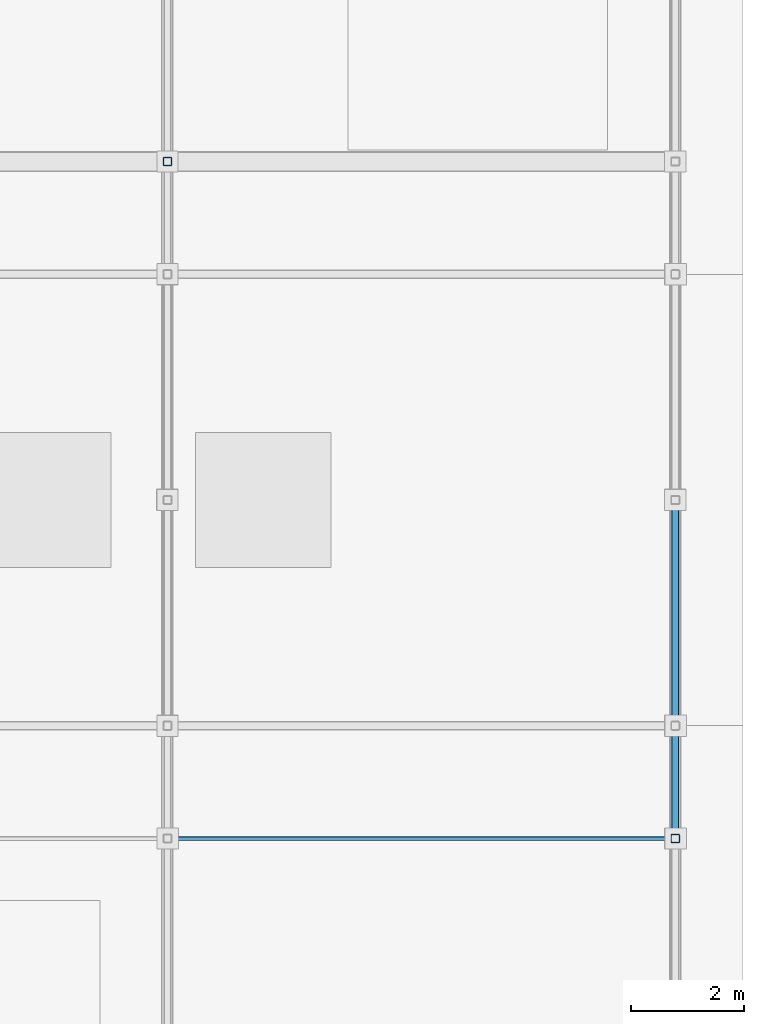
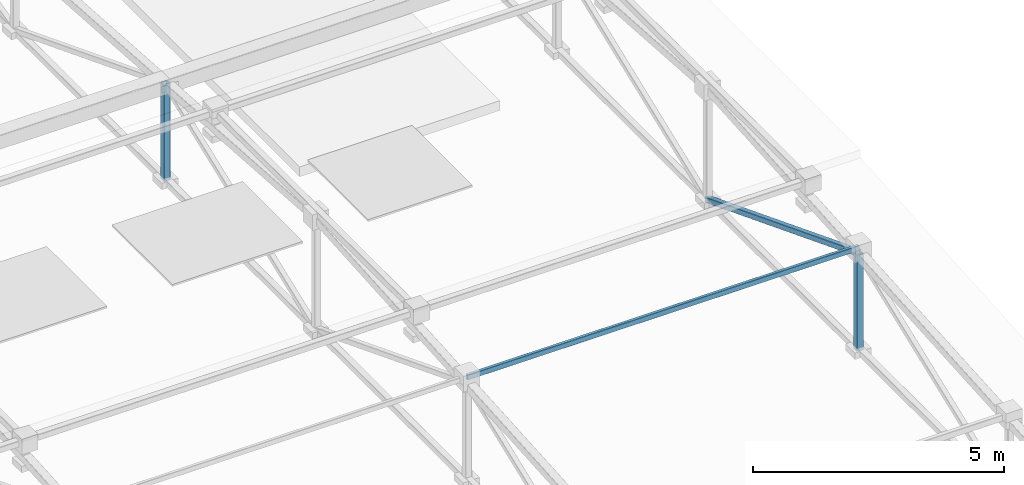
# One storey, part 30 of 85: 4 members.
"""IFC4 building model written with IfcOpenShell, lengths in metres."""

from ifc_helpers import new_model, si_unit, direction, frame, origin, origin_2d, place, context, subcontext, project, spatial, hollow_rectangle, extrude, material, material_profile, profile_set, type_object, element, save


model = new_model("IFC4")

# Units and contexts
model_context = context("Model", 3, precision=1e-05, world=origin(), true_north=direction((0.0, 1.0)))
body_context = subcontext(model_context, "Body", "Model", "MODEL_VIEW")
ifc_project = project(units=[si_unit("LENGTHUNIT", "METRE"), si_unit("AREAUNIT", "SQUARE_METRE"), si_unit("VOLUMEUNIT", "CUBIC_METRE"), si_unit("PLANEANGLEUNIT", "RADIAN"), si_unit("MASSUNIT", "GRAM", prefix="KILO"), si_unit("THERMODYNAMICTEMPERATUREUNIT", "KELVIN"), si_unit("POWERUNIT", "WATT")], contexts=[model_context])

# Site, building, storey
site_placement = place(None, origin())
site = spatial("IfcSite", under=ifc_project, at=site_placement, CompositionType="ELEMENT")
building_placement = place(site_placement, origin())
building = spatial("IfcBuilding", under=site, at=building_placement, Name="Zelmaris Science Centre", CompositionType="ELEMENT")
storey_placement = place(building_placement, frame((0.0, 0.0, 20.39990234375)))
storey = spatial("IfcBuildingStorey", under=building, at=storey_placement, Name="L04", CompositionType="ELEMENT", Elevation=20.39990234375)

# Members
ifc_material = material(Name="Steel ASTM A500 Grade C", Category="steel")
ifc_material_profile_1 = material_profile(ifc_material, hollow_rectangle(XDim=0.076171875, YDim=0.126953125, WallThickness=0.005859375, InnerFilletRadius=0.005859375, OuterFilletRadius=0.01171875, at=origin_2d()), Name="HSS127X76X6")
ifc_profile_set_1 = profile_set([ifc_material_profile_1], Name="Steel ASTM A500 Grade C")
member_type_1 = type_object("IfcMemberType", Name="Roof Purlin PR-06 HSS127X76X6", PredefinedType="PURLIN", material=ifc_profile_set_1)
member_1_placement = place(storey_placement, frame((126.0, 26.0, 3.41845703125), z_axis=(1.0, 0.0, 0.0), x_axis=(0.0, 1.0, 0.0)))
element("IfcMember", 1, at=member_1_placement, inside=storey, type_object=member_type_1, Name="RF-V4 Roof purlin 20", PredefinedType="PURLIN", context=body_context, shape_type="SweptSolid", body=[
    extrude(hollow_rectangle(XDim=0.076171875, YDim=0.126953125, WallThickness=0.005859375, InnerFilletRadius=0.005859375, OuterFilletRadius=0.01171875, at=origin_2d()), origin(), (0.0, 0.0, 1.0), 9.0),
])
ifc_material_profile_2 = material_profile(ifc_material, hollow_rectangle(XDim=0.15234375, YDim=0.15234375, WallThickness=0.0087890625, InnerFilletRadius=0.0087890625, OuterFilletRadius=0.017822265625, at=origin_2d()), Name="HSS152X152X10")
ifc_profile_set_2 = profile_set([ifc_material_profile_2], Name="Steel ASTM A500 Grade C")
member_type_2 = type_object("IfcMemberType", Name="Structural Brace BR-03 HSS152X152X10", PredefinedType="BRACE", material=ifc_profile_set_2)
for number, where, z_axis, x_axis, name in (
    (2, (126.0, 38.0, 0.947998046875), (0.0, 0.0, 1.0), (1.0, 0.0, 0.0), "RF-V4 Roof truss 3 vertical web 5"),
    (3, (135.0, 26.0, 0.947998046875), (0.0, 0.0, 1.0), (1.0, 0.0, 0.0), "RF-V4 Roof truss 4 vertical web 3"),
):
    element("IfcMember", number, at=place(storey_placement, frame(where, z_axis=z_axis, x_axis=x_axis)), inside=storey, type_object=member_type_2, Name=name, PredefinedType="BRACE", context=body_context, shape_type="SweptSolid", body=[
        extrude(hollow_rectangle(XDim=0.15234375, YDim=0.15234375, WallThickness=0.0087890625, InnerFilletRadius=0.0087890625, OuterFilletRadius=0.017822265625, at=origin_2d()), origin(), (0.0, 0.0, 1.0), 2.33740234375),
    ])
ifc_material_profile_3 = material_profile(ifc_material, hollow_rectangle(XDim=0.126953125, YDim=0.126953125, WallThickness=0.00732421875, InnerFilletRadius=0.00732421875, OuterFilletRadius=0.014892578125, at=origin_2d()), Name="HSS127X127X8")
ifc_profile_set_3 = profile_set([ifc_material_profile_3], Name="Steel ASTM A500 Grade C")
member_type_3 = type_object("IfcMemberType", Name="Structural Brace BR-04 HSS127X127X8", PredefinedType="BRACE", material=ifc_profile_set_3)
member_2_placement = place(storey_placement, frame((135.0, 26.0, 3.285400390625), z_axis=(0.0, 0.93179104927, -0.362995097075), x_axis=(-1.0, 0.0, 0.0)))
element("IfcMember", 4, at=member_2_placement, inside=storey, type_object=member_type_3, Name="RF-V4 Roof truss 4 web diagonal 4", PredefinedType="BRACE", context=body_context, shape_type="SweptSolid", body=[
    extrude(hollow_rectangle(XDim=0.126953125, YDim=0.126953125, WallThickness=0.00732421875, InnerFilletRadius=0.00732421875, OuterFilletRadius=0.014892578125, at=origin_2d()), origin(), (0.0, 0.0, 1.0), 6.439208984375),
])

save(model, "model.ifc")
